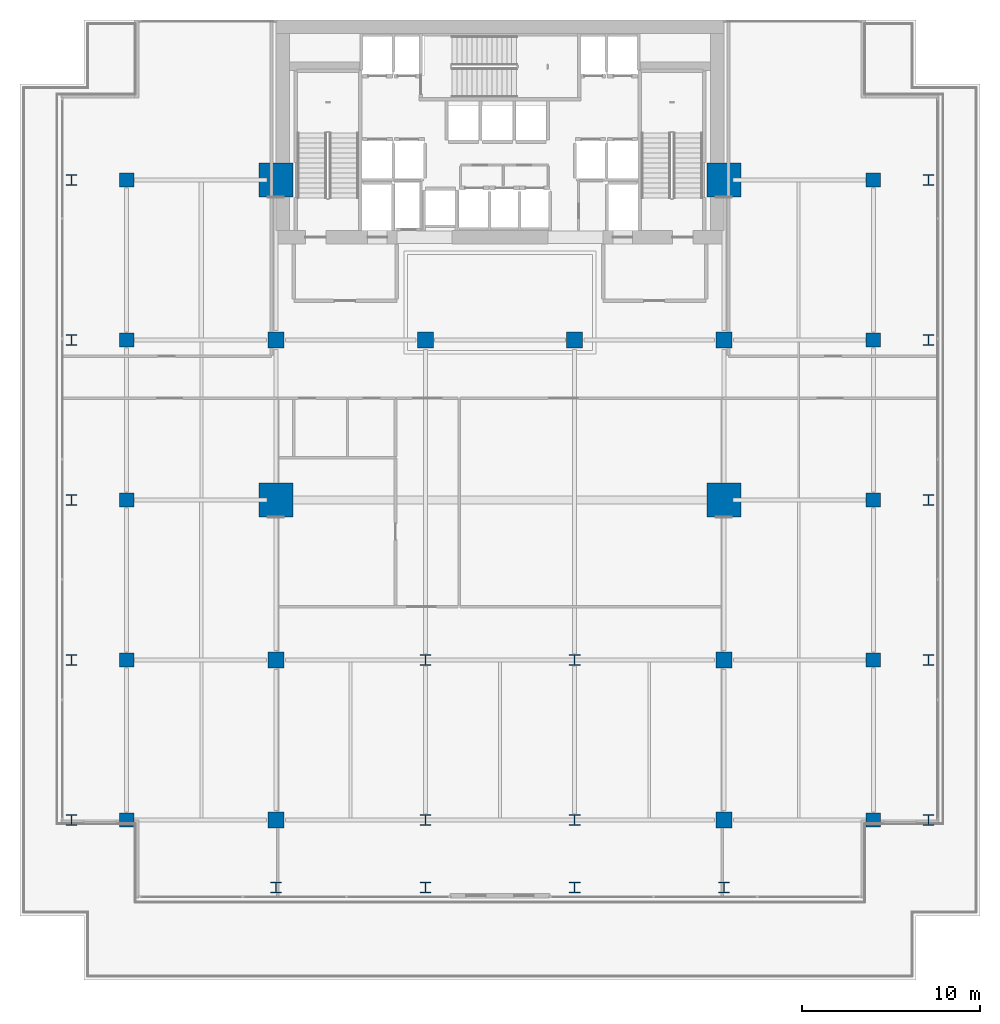
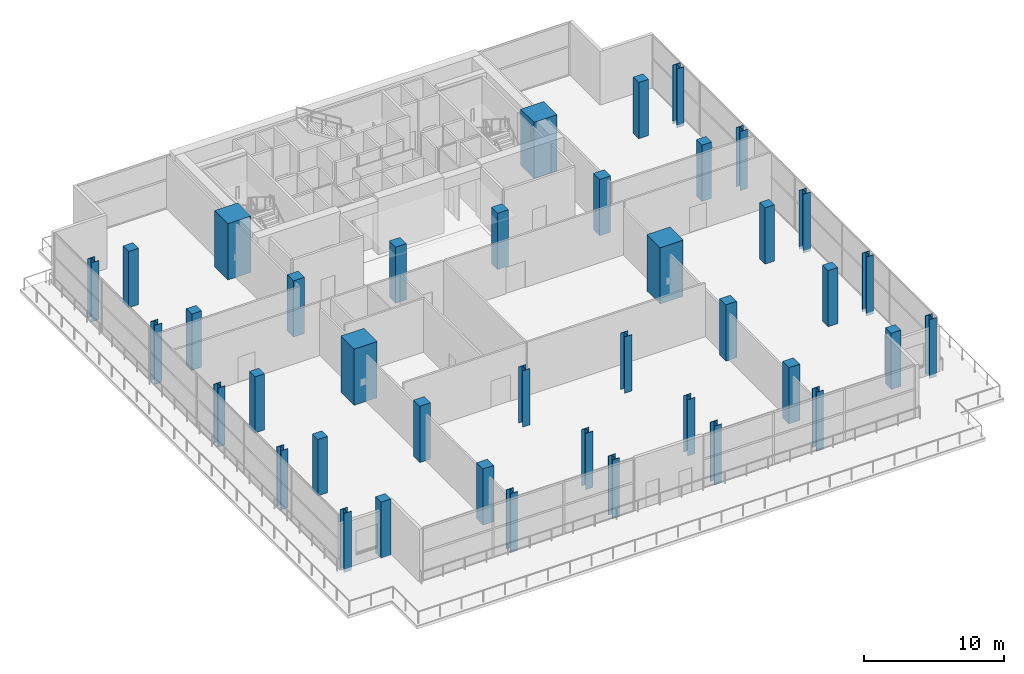
# One storey, part 1 of 31: 40 columns.
"""IFC4 building model written with IfcOpenShell, lengths in metres."""

from ifc_helpers import new_model, si_unit, direction, frame, origin, origin_2d, place, context, subcontext, project, spatial, rectangle, i_section, extrude, material, material_profile, profile_set, type_object, element, save


model = new_model("IFC4")

# Units and contexts
model_context = context("Model", 3, precision=1e-05, world=origin(), true_north=direction((0.0, 1.0)))
body_context = subcontext(model_context, "Body", "Model", "MODEL_VIEW")
ifc_project = project(units=[si_unit("LENGTHUNIT", "METRE"), si_unit("AREAUNIT", "SQUARE_METRE"), si_unit("VOLUMEUNIT", "CUBIC_METRE"), si_unit("PLANEANGLEUNIT", "RADIAN"), si_unit("MASSUNIT", "GRAM", prefix="KILO")], contexts=[model_context])

# Site, building, storey
site_placement = place(None, origin())
site = spatial("IfcSite", under=ifc_project, at=site_placement, CompositionType="ELEMENT")
building_placement = place(site_placement, origin())
building = spatial("IfcBuilding", under=site, at=building_placement, Name="Maruvema Waterfront Hotel and Observation Tower", CompositionType="ELEMENT")
storey_placement = place(building_placement, frame((0.0, 0.0, 122.5)))
storey = spatial("IfcBuildingStorey", under=building, at=storey_placement, Name="L29", CompositionType="ELEMENT", Elevation=122.5)

# Columns
ifc_material_1 = material(Name="Concrete C80/95", Category="concrete")
ifc_material_profile_1 = material_profile(ifc_material_1, rectangle(XDim=1.89990234375, YDim=1.89990234375, at=origin_2d()), Name="MC1900x1900")
ifc_profile_set_1 = profile_set([ifc_material_profile_1], Name="Concrete C80/95")
column_type_1 = type_object("IfcColumnType", Name="Continuous Mega-Column MC1900x1900", PredefinedType="COLUMN", material=ifc_profile_set_1)
for number, where, z_axis, x_axis, name in (
    (1, (25.199951171875, 27.0, 0.0), (0.0, 0.0, 1.0), (1.0, 0.0, 0.0), "L29 Continuous Mega-Column MC-01"),
    (2, (50.39990234375, 27.0, 0.0), (0.0, 0.0, 1.0), (1.0, 0.0, 0.0), "L29 Continuous Mega-Column MC-02"),
    (3, (25.199951171875, 45.0, 0.0), (0.0, 0.0, 1.0), (1.0, 0.0, 0.0), "L29 Continuous Mega-Column MC-03"),
    (4, (50.39990234375, 45.0, 0.0), (0.0, 0.0, 1.0), (1.0, 0.0, 0.0), "L29 Continuous Mega-Column MC-04"),
):
    element("IfcColumn", number, at=place(storey_placement, frame(where, z_axis=z_axis, x_axis=x_axis)), inside=storey, type_object=column_type_1, Name=name, PredefinedType="COLUMN", context=body_context, shape_type="SweptSolid", body=[
        extrude(rectangle(XDim=1.89990234375, YDim=1.89990234375, at=origin_2d()), origin(), (0.0, 0.0, 1.0), 4.89990234375),
    ])
ifc_material_2 = material(Name="Concrete C60/75", Category="concrete")
ifc_material_profile_2 = material_profile(ifc_material_2, rectangle(XDim=0.800048828125, YDim=0.800048828125, at=origin_2d()), Name="RC800x800")
ifc_profile_set_2 = profile_set([ifc_material_profile_2], Name="Concrete C60/75")
column_type_2 = type_object("IfcColumnType", Name="Reinforced Concrete Column RC800x800", PredefinedType="COLUMN", material=ifc_profile_set_2)
for number, where, z_axis, x_axis, name in (
    (5, (16.800048828125, 9.0, 0.0), (0.0, 0.0, 1.0), (1.0, 0.0, 0.0), "L29 Column C-3Y9"),
    (6, (58.800048828125, 9.0, 0.0), (0.0, 0.0, 1.0), (1.0, 0.0, 0.0), "L29 Column C-8Y9"),
    (7, (16.800048828125, 18.0, 0.0), (0.0, 0.0, 1.0), (1.0, 0.0, 0.0), "L29 Column C-3Y18"),
    (8, (58.800048828125, 18.0, 0.0), (0.0, 0.0, 1.0), (1.0, 0.0, 0.0), "L29 Column C-8Y18"),
    (9, (16.800048828125, 27.0, 0.0), (0.0, 0.0, 1.0), (1.0, 0.0, 0.0), "L29 Column C-3Y27"),
    (10, (58.800048828125, 27.0, 0.0), (0.0, 0.0, 1.0), (1.0, 0.0, 0.0), "L29 Column C-8Y27"),
    (11, (16.800048828125, 36.0, 0.0), (0.0, 0.0, 1.0), (1.0, 0.0, 0.0), "L29 Column C-3Y36"),
    (12, (58.800048828125, 36.0, 0.0), (0.0, 0.0, 1.0), (1.0, 0.0, 0.0), "L29 Column C-8Y36"),
    (13, (16.800048828125, 45.0, 0.0), (0.0, 0.0, 1.0), (1.0, 0.0, 0.0), "L29 Column C-3Y45"),
    (14, (58.800048828125, 45.0, 0.0), (0.0, 0.0, 1.0), (1.0, 0.0, 0.0), "L29 Column C-8Y45"),
):
    element("IfcColumn", number, at=place(storey_placement, frame(where, z_axis=z_axis, x_axis=x_axis)), inside=storey, type_object=column_type_2, Name=name, PredefinedType="COLUMN", context=body_context, shape_type="SweptSolid", body=[
        extrude(rectangle(XDim=0.800048828125, YDim=0.800048828125, at=origin_2d()), origin(), (0.0, 0.0, 1.0), 4.89990234375),
    ])
ifc_material_3 = material(Name="Concrete C60/75", Category="concrete")
ifc_material_profile_3 = material_profile(ifc_material_3, rectangle(XDim=0.89990234375, YDim=0.89990234375, at=origin_2d()), Name="RC900x900")
ifc_profile_set_3 = profile_set([ifc_material_profile_3], Name="Concrete C60/75")
column_type_3 = type_object("IfcColumnType", Name="Reinforced Concrete Column RC900x900", PredefinedType="COLUMN", material=ifc_profile_set_3)
for number, where, z_axis, x_axis, name in (
    (15, (25.199951171875, 36.0, 0.0), (0.0, 0.0, 1.0), (1.0, 0.0, 0.0), "L29 Column C-4E"),
    (16, (33.60009765625, 36.0, 0.0), (0.0, 0.0, 1.0), (1.0, 0.0, 0.0), "L29 Column C-5E"),
    (17, (42.0, 36.0, 0.0), (0.0, 0.0, 1.0), (1.0, 0.0, 0.0), "L29 Column C-6E"),
    (18, (50.39990234375, 36.0, 0.0), (0.0, 0.0, 1.0), (1.0, 0.0, 0.0), "L29 Column C-7E"),
    (19, (25.199951171875, 18.0, 0.0), (0.0, 0.0, 1.0), (1.0, 0.0, 0.0), "L29 Column C-4C"),
    (20, (50.39990234375, 18.0, 0.0), (0.0, 0.0, 1.0), (1.0, 0.0, 0.0), "L29 Column C-7C"),
    (21, (25.199951171875, 9.0, 0.0), (0.0, 0.0, 1.0), (1.0, 0.0, 0.0), "L29 Column C-4B"),
    (22, (50.39990234375, 9.0, 0.0), (0.0, 0.0, 1.0), (1.0, 0.0, 0.0), "L29 Column C-7B"),
):
    element("IfcColumn", number, at=place(storey_placement, frame(where, z_axis=z_axis, x_axis=x_axis)), inside=storey, type_object=column_type_3, Name=name, PredefinedType="COLUMN", context=body_context, shape_type="SweptSolid", body=[
        extrude(rectangle(XDim=0.89990234375, YDim=0.89990234375, at=origin_2d()), origin(), (0.0, 0.0, 1.0), 4.89990234375),
    ])
ifc_material_4 = material(Name="Steel ABNT NBR 7007 AR 415 (ASTM A572 Grade 50)", Category="steel")
ifc_material_profile_4 = material_profile(ifc_material_4, i_section(OverallWidth=0.60009765625, OverallDepth=0.60009765625, WebThickness=0.02490234375, FlangeThickness=0.0380859375, at=origin_2d()), Name="CVS600x317")
ifc_profile_set_4 = profile_set([ifc_material_profile_4], Name="Steel ABNT NBR 7007 AR 415 (ASTM A572 Grade 50)")
column_type_4 = type_object("IfcColumnType", Name="Structural Steel Column CVS600x317", PredefinedType="COLUMN", material=ifc_profile_set_4)
for number, where, z_axis, x_axis, name in (
    (23, (33.60009765625, 9.0, 0.0), (0.0, 0.0, 1.0), (1.0, 0.0, 0.0), "L29 Column C-5B"),
    (24, (42.0, 9.0, 0.0), (0.0, 0.0, 1.0), (1.0, 0.0, 0.0), "L29 Column C-6B"),
    (25, (33.60009765625, 18.0, 0.0), (0.0, 0.0, 1.0), (1.0, 0.0, 0.0), "L29 Column C-5C"),
    (26, (42.0, 18.0, 0.0), (0.0, 0.0, 1.0), (1.0, 0.0, 0.0), "L29 Column C-6C"),
):
    element("IfcColumn", number, at=place(storey_placement, frame(where, z_axis=z_axis, x_axis=x_axis)), inside=storey, type_object=column_type_4, Name=name, PredefinedType="COLUMN", context=body_context, shape_type="SweptSolid", body=[
        extrude(i_section(OverallWidth=0.60009765625, OverallDepth=0.60009765625, WebThickness=0.02490234375, FlangeThickness=0.0380859375, at=origin_2d()), origin(), (0.0, 0.0, 1.0), 4.89990234375),
    ])
for number, where, z_axis, x_axis, name in (
    (27, (13.699951171875, 9.0, -0.239990234375), (0.0, 0.0, 1.0), (1.0, 0.0, 0.0), "L29 Column C-Z2W9"),
    (28, (61.89990234375, 9.0, -0.239990234375), (0.0, 0.0, 1.0), (1.0, 0.0, 0.0), "L29 Column C-Z2E9"),
    (29, (13.699951171875, 18.0, -0.239990234375), (0.0, 0.0, 1.0), (1.0, 0.0, 0.0), "L29 Column C-Z2W18"),
    (30, (61.89990234375, 18.0, -0.239990234375), (0.0, 0.0, 1.0), (1.0, 0.0, 0.0), "L29 Column C-Z2E18"),
    (31, (13.699951171875, 27.0, -0.239990234375), (0.0, 0.0, 1.0), (1.0, 0.0, 0.0), "L29 Column C-Z2W27"),
    (32, (61.89990234375, 27.0, -0.239990234375), (0.0, 0.0, 1.0), (1.0, 0.0, 0.0), "L29 Column C-Z2E27"),
    (33, (13.699951171875, 36.0, -0.239990234375), (0.0, 0.0, 1.0), (1.0, 0.0, 0.0), "L29 Column C-Z2W36"),
    (34, (61.89990234375, 36.0, -0.239990234375), (0.0, 0.0, 1.0), (1.0, 0.0, 0.0), "L29 Column C-Z2E36"),
    (35, (13.699951171875, 45.0, -0.239990234375), (0.0, 0.0, 1.0), (1.0, 0.0, 0.0), "L29 Column C-Z2W45"),
    (36, (61.89990234375, 45.0, -0.239990234375), (0.0, 0.0, 1.0), (1.0, 0.0, 0.0), "L29 Column C-Z2E45"),
    (37, (25.199951171875, 5.199951171875, -0.239990234375), (0.0, 0.0, 1.0), (1.0, 0.0, 0.0), "L29 Column C-Z2S4"),
    (38, (33.60009765625, 5.199951171875, -0.239990234375), (0.0, 0.0, 1.0), (1.0, 0.0, 0.0), "L29 Column C-Z2S5"),
    (39, (42.0, 5.199951171875, -0.239990234375), (0.0, 0.0, 1.0), (1.0, 0.0, 0.0), "L29 Column C-Z2S6"),
    (40, (50.39990234375, 5.199951171875, -0.239990234375), (0.0, 0.0, 1.0), (1.0, 0.0, 0.0), "L29 Column C-Z2S7"),
):
    element("IfcColumn", number, at=place(storey_placement, frame(where, z_axis=z_axis, x_axis=x_axis)), inside=storey, type_object=column_type_4, Name=name, PredefinedType="COLUMN", context=body_context, shape_type="SweptSolid", body=[
        extrude(i_section(OverallWidth=0.60009765625, OverallDepth=0.60009765625, WebThickness=0.02490234375, FlangeThickness=0.0380859375, at=origin_2d()), origin(), (0.0, 0.0, 1.0), 5.139892578125),
    ])

save(model, "model.ifc")
